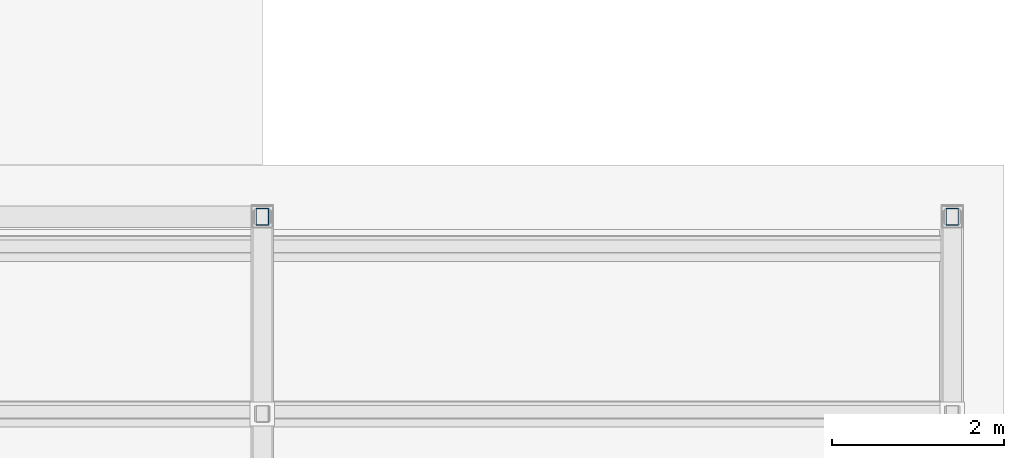
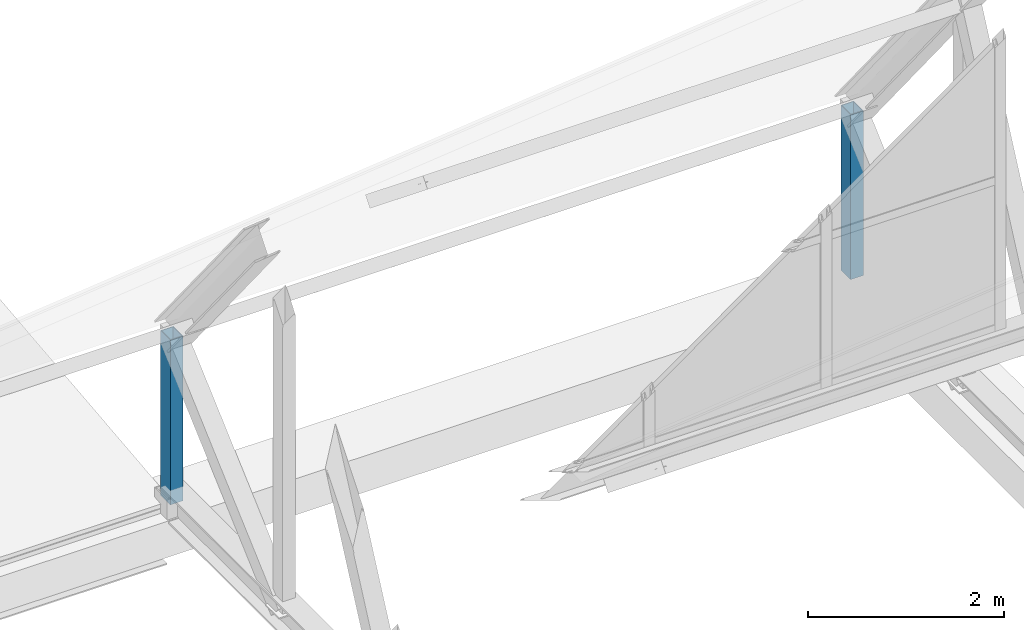
# One storey, part 25 of 34: 2 members.
"""IFC4 building model written with IfcOpenShell, lengths in metres."""

from ifc_helpers import new_model, si_unit, direction, frame, origin, origin_2d, place, context, subcontext, project, spatial, hollow_rectangle, extrude, material, material_profile, profile_set, type_object, element, save


model = new_model("IFC4")

# Units and contexts
model_context = context("Model", 3, precision=1e-05, world=origin(), true_north=direction((0.0, 1.0)))
body_context = subcontext(model_context, "Body", "Model", "MODEL_VIEW")
ifc_project = project(units=[si_unit("LENGTHUNIT", "METRE"), si_unit("AREAUNIT", "SQUARE_METRE"), si_unit("VOLUMEUNIT", "CUBIC_METRE"), si_unit("PLANEANGLEUNIT", "RADIAN"), si_unit("MASSUNIT", "GRAM", prefix="KILO")], contexts=[model_context])

# Site, building, storey
site_placement = place(None, origin())
site = spatial("IfcSite", under=ifc_project, at=site_placement, CompositionType="ELEMENT")
building_placement = place(site_placement, origin())
building = spatial("IfcBuilding", under=site, at=building_placement, Name="Qorikala Patio Media Centre", CompositionType="ELEMENT")
storey_placement = place(building_placement, frame((0.0, 0.0, 32.699951171875)))
storey = spatial("IfcBuildingStorey", under=building, at=storey_placement, Name="RF", CompositionType="ELEMENT", Elevation=32.699951171875)

# Members
ifc_material = material(Name="Steel S355", Category="steel")
ifc_material_profile = material_profile(ifc_material, hollow_rectangle(XDim=0.14990234375, YDim=0.199951171875, WallThickness=0.008056640625, at=origin_2d()), Name="HSS200X150X8")
ifc_profile_set = profile_set([ifc_material_profile], Name="Steel S355")
member_type = type_object("IfcMemberType", Name="STRUT-HSS200", PredefinedType="STRUT", material=ifc_profile_set)
for number, where, z_axis, x_axis, name in (
    (1, (35.0, 35.0, 0.35009765625), (0.0, 0.0, 1.0), (1.0, 0.0, 0.0), "SAW-V1 Truss 5 End Valley Post"),
    (2, (43.0, 35.0, 0.35009765625), (0.0, 0.0, 1.0), (1.0, 0.0, 0.0), "SAW-V1 Truss 6 End Valley Post"),
):
    element("IfcMember", number, at=place(storey_placement, frame(where, z_axis=z_axis, x_axis=x_axis)), inside=storey, type_object=member_type, Name=name, PredefinedType="STRUT", context=body_context, shape_type="SweptSolid", body=[
        extrude(hollow_rectangle(XDim=0.14990234375, YDim=0.199951171875, WallThickness=0.008056640625, at=origin_2d()), origin(), (0.0, 0.0, 1.0), 2.050048828125),
    ])

save(model, "model.ifc")
